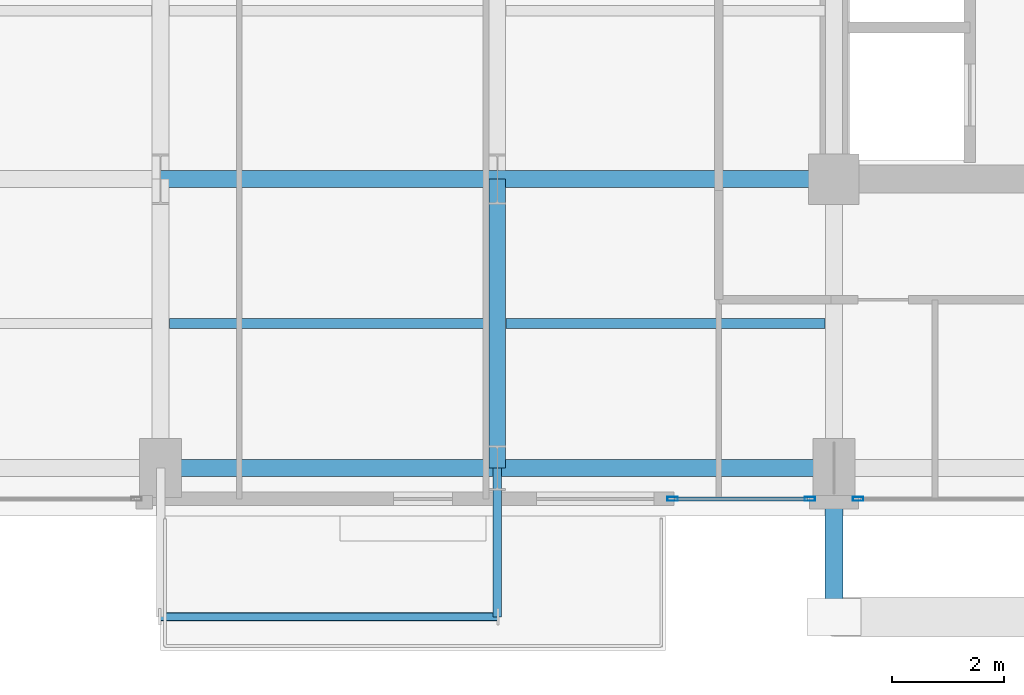
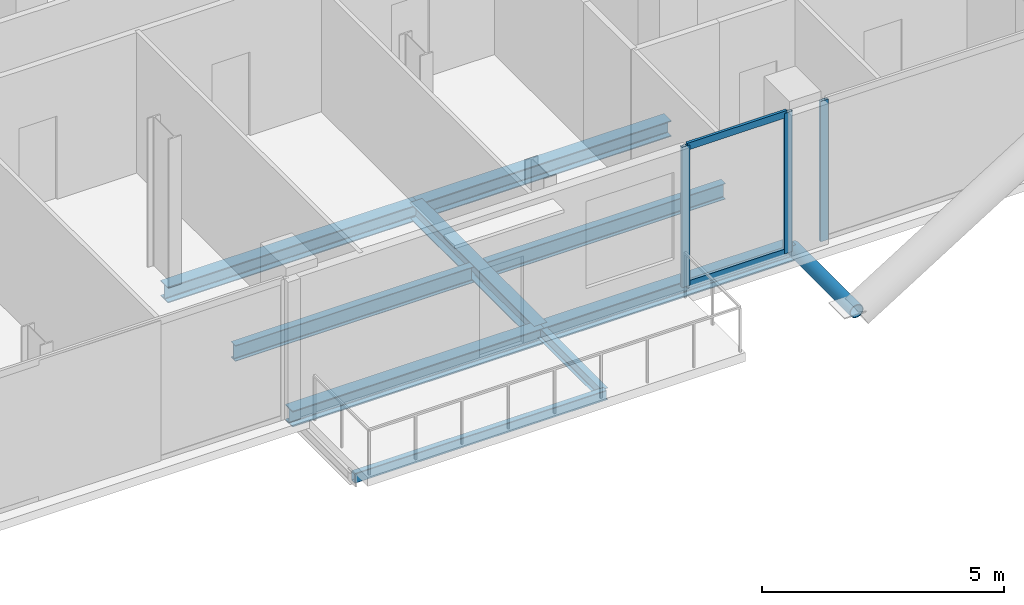
# One storey, part 4 of 22: 9 beams, 6 members, 2 elements without a shape of their own.
"""IFC4 building model written with IfcOpenShell, lengths in metres."""

from ifc_helpers import new_model, si_unit, direction, frame, origin, origin_2d, place, context, subcontext, project, spatial, hollow_rectangle, hollow_circle, i_section, extrude, material, layer, layer_set, material_profile, profile_set, type_object, element, aggregate, save


model = new_model("IFC4")

# Units and contexts
model_context = context("Model", 3, precision=1e-05, world=origin(), true_north=direction((0.0, 1.0)))
body_context = subcontext(model_context, "Body", "Model", "MODEL_VIEW")
ifc_project = project(units=[si_unit("LENGTHUNIT", "METRE"), si_unit("AREAUNIT", "SQUARE_METRE"), si_unit("VOLUMEUNIT", "CUBIC_METRE"), si_unit("PLANEANGLEUNIT", "RADIAN"), si_unit("MASSUNIT", "GRAM", prefix="KILO"), si_unit("THERMODYNAMICTEMPERATUREUNIT", "KELVIN"), si_unit("POWERUNIT", "WATT")], contexts=[model_context])

# Site, building, storey
site_placement = place(None, origin())
site = spatial("IfcSite", under=ifc_project, at=site_placement, CompositionType="ELEMENT")
building_placement = place(site_placement, origin())
building = spatial("IfcBuilding", under=site, at=building_placement, Name="Svarakhadi Broadcast Tower", CompositionType="ELEMENT")
storey_placement = place(building_placement, frame((0.0, 0.0, 191.699951171875)))
storey = spatial("IfcBuildingStorey", under=building, at=storey_placement, Name="L47", CompositionType="ELEMENT", Elevation=191.699951171875)

# Beams
ifc_material_1 = material(Name="Steel S355J2 (IS 2062 E350C)", Category="steel")
ifc_material_profile_1 = material_profile(ifc_material_1, i_section(OverallWidth=0.179931640625, OverallDepth=0.39990234375, WebThickness=0.008544921875, FlangeThickness=0.013427734375, FilletRadius=0.02099609375, at=origin_2d()), Name="NPB 400x180x66")
ifc_profile_set_1 = profile_set([ifc_material_profile_1], Name="Steel S355J2 (IS 2062 E350C)")
beam_type_1 = type_object("IfcBeamType", Name="Beam_NPB400", PredefinedType="BEAM", material=ifc_profile_set_1)
for number, where, z_axis, x_axis, name in (
    (1, (12.159912109375, 3.425048828125, -0.409912109375), (1.0, 0.0, 0.0), (0.0, 1.0, 0.0), "L47 Secondary Composite Beam SB009"),
    (2, (18.159912109375, 3.425048828125, -0.409912109375), (1.0, 0.0, 0.0), (0.0, 1.0, 0.0), "L47 Secondary Composite Beam SB013"),
):
    element("IfcBeam", number, at=place(storey_placement, frame(where, z_axis=z_axis, x_axis=x_axis)), inside=storey, type_object=beam_type_1, Name=name, PredefinedType="BEAM", context=body_context, shape_type="SweptSolid", body=[
        extrude(i_section(OverallWidth=0.179931640625, OverallDepth=0.39990234375, WebThickness=0.008544921875, FlangeThickness=0.013427734375, FilletRadius=0.02099609375, at=origin_2d()), origin(), (0.0, 0.0, 1.0), 5.68017578125),
    ])

# Curtain wall, member
ifc_material_2 = material(Name="Anodised Bronze Aluminium AA 6063-T6", Category="aluminium")
ifc_layer = layer(ifc_material_2, 0.18994140625)
ifc_layer_set = layer_set([ifc_layer], Name="Anodised Bronze Aluminium AA 6063-T6")
curtain_wall_type = type_object("IfcCurtainWallType", Name="CW_Sys_04", PredefinedType="NOTDEFINED", material=ifc_layer_set)
curtain_wall_1_placement = place(storey_placement, origin())
curtain_wall_1 = element("IfcCurtainWall", 3, at=curtain_wall_1_placement, inside=storey, type_object=curtain_wall_type, Name="L47 South Curtain Wall 15 Bay 3", PredefinedType="NOTDEFINED")
ifc_material_profile_2 = material_profile(ifc_material_2, hollow_rectangle(XDim=0.070068359375, YDim=0.18994140625, WallThickness=0.005615234375, at=origin_2d()), Name="ALU MULLION 190x70x6")
ifc_profile_set_2 = profile_set([ifc_material_profile_2], Name="Anodised Bronze Aluminium AA 6063-T6")
member_type_1 = type_object("IfcMemberType", Name="CW_Sys_04_Mul", PredefinedType="MULLION", material=ifc_profile_set_2)
member_1_placement = place(storey_placement, frame((24.429931640625, 0.300048828125, 0.0), z_axis=(0.0, 0.0, 1.0), x_axis=(0.0, -1.0, 0.0)))
member_1 = element("IfcMember", 4, at=member_1_placement, type_object=member_type_1, Name="CW-04 mullion 2", PredefinedType="MULLION", context=body_context, shape_type="SweptSolid", body=[
    extrude(hollow_rectangle(XDim=0.070068359375, YDim=0.18994140625, WallThickness=0.005615234375, at=origin_2d()), origin(), (0.0, 0.0, 1.0), 3.5400390625),
])
aggregate(curtain_wall_1, [member_1])

# Curtain wall, members
curtain_wall_2_placement = place(storey_placement, origin())
curtain_wall_2 = element("IfcCurtainWall", 5, at=curtain_wall_2_placement, inside=storey, type_object=curtain_wall_type, Name="L47 South Curtain Wall 15 Bay 4", PredefinedType="NOTDEFINED")
member_2_placement = place(storey_placement, frame((23.570068359375, 0.300048828125, 0.0), z_axis=(0.0, 0.0, 1.0), x_axis=(0.0, -1.0, 0.0)))
member_2 = element("IfcMember", 6, at=member_2_placement, type_object=member_type_1, Name="CW-04 mullion 1", PredefinedType="MULLION", context=body_context, shape_type="SweptSolid", body=[
    extrude(hollow_rectangle(XDim=0.070068359375, YDim=0.18994140625, WallThickness=0.005615234375, at=origin_2d()), origin(), (0.0, 0.0, 1.0), 3.5400390625),
])
member_3_placement = place(storey_placement, frame((21.125, 0.300048828125, 0.0), z_axis=(0.0, 0.0, 1.0), x_axis=(0.0, -1.0, 0.0)))
member_3 = element("IfcMember", 7, at=member_3_placement, type_object=member_type_1, Name="CW-04 mullion 2", PredefinedType="MULLION", context=body_context, shape_type="SweptSolid", body=[
    extrude(hollow_rectangle(XDim=0.070068359375, YDim=0.18994140625, WallThickness=0.005615234375, at=origin_2d()), origin(), (0.0, 0.0, 1.0), 3.5400390625),
])
ifc_material_profile_3 = material_profile(ifc_material_2, hollow_rectangle(XDim=0.06494140625, YDim=0.175048828125, WallThickness=0.0048828125, at=origin_2d()), Name="ALU TRANSOM 175x65x5")
ifc_profile_set_3 = profile_set([ifc_material_profile_3], Name="Anodised Bronze Aluminium AA 6063-T6")
member_type_2 = type_object("IfcMemberType", Name="CW_Sys_04_Trn", PredefinedType="USERDEFINED", material=ifc_profile_set_3)
member_4_placement = place(storey_placement, frame((23.534912109375, 0.300048828125, 0.032470703125), z_axis=(-1.0, 0.0, 0.0), x_axis=(0.0, -1.0, 0.0)))
member_4 = element("IfcMember", 8, at=member_4_placement, type_object=member_type_2, Name="CW-04 transom 1.1", ObjectType="TRANSOM", PredefinedType="USERDEFINED", context=body_context, shape_type="SweptSolid", body=[
    extrude(hollow_rectangle(XDim=0.06494140625, YDim=0.175048828125, WallThickness=0.0048828125, at=origin_2d()), origin(), (0.0, 0.0, 1.0), 2.375),
])
member_5_placement = place(storey_placement, frame((23.534912109375, 0.300048828125, 3.507568359375), z_axis=(-1.0, 0.0, 0.0), x_axis=(0.0, -1.0, 0.0)))
member_5 = element("IfcMember", 9, at=member_5_placement, type_object=member_type_2, Name="CW-04 transom 1.2", ObjectType="TRANSOM", PredefinedType="USERDEFINED", context=body_context, shape_type="SweptSolid", body=[
    extrude(hollow_rectangle(XDim=0.06494140625, YDim=0.175048828125, WallThickness=0.0048828125, at=origin_2d()), origin(), (0.0, 0.0, 1.0), 2.375),
])
aggregate(curtain_wall_2, [member_2, member_3, member_4, member_5])

# Member
ifc_material_3 = material(Name="Steel S460ML (IS 2062 E450BR)", Category="steel")
ifc_material_profile_4 = material_profile(ifc_material_3, hollow_circle(Radius=0.161865234375, WallThickness=0.01611328125, at=origin_2d()), Name="CHS 323.9x16")
ifc_profile_set_4 = profile_set([ifc_material_profile_4], Name="Steel S460ML (IS 2062 E450BR)")
member_type_3 = type_object("IfcMemberType", Name="Exo_Radial_Strut_Z2", PredefinedType="STRUT", material=ifc_profile_set_4)
member_6_placement = place(storey_placement, frame((24.0, -1.800048828125, -0.371826171875), z_axis=(0.0, 1.0, 0.0), x_axis=(-1.0, 0.0, 0.0)))
element("IfcMember", 10, at=member_6_placement, inside=storey, type_object=member_type_3, Name="L47 Exoskeleton Radial Tie Strut S01", PredefinedType="STRUT", context=body_context, shape_type="SweptSolid", body=[
    extrude(hollow_circle(Radius=0.161865234375, WallThickness=0.01611328125, at=origin_2d()), origin(), (0.0, 0.0, 1.0), 2.650146484375),
])

# Beams
ifc_material_profile_5 = material_profile(ifc_material_1, i_section(OverallWidth=0.300048828125, OverallDepth=0.39990234375, WebThickness=0.013427734375, FlangeThickness=0.02392578125, FilletRadius=0.027099609375, at=origin_2d()), Name="WPB 400x300x155")
ifc_profile_set_5 = profile_set([ifc_material_profile_5], Name="Steel S355J2 (IS 2062 E350C)")
beam_type_2 = type_object("IfcBeamType", Name="Girder_WPB400", PredefinedType="USERDEFINED", material=ifc_profile_set_5)
for number, where, z_axis, x_axis, name in (
    (11, (12.0, 0.85009765625, -0.409912109375), (1.0, 0.0, 0.0), (0.0, 1.0, 0.0), "L47 Primary E-W Girder G005"),
    (12, (18.0, 0.85009765625, -0.409912109375), (1.0, 0.0, 0.0), (0.0, 1.0, 0.0), "L47 Primary E-W Girder G006"),
    (13, (12.0, 6.0, -0.409912109375), (1.0, 0.0, 0.0), (0.0, 1.0, 0.0), "L47 Primary E-W Girder G011"),
    (14, (18.0, 6.0, -0.409912109375), (1.0, 0.0, 0.0), (0.0, 1.0, 0.0), "L47 Primary E-W Girder G012"),
):
    element("IfcBeam", number, at=place(storey_placement, frame(where, z_axis=z_axis, x_axis=x_axis)), inside=storey, type_object=beam_type_2, Name=name, ObjectType="GIRDER", PredefinedType="USERDEFINED", context=body_context, shape_type="SweptSolid", body=[
        extrude(i_section(OverallWidth=0.300048828125, OverallDepth=0.39990234375, WebThickness=0.013427734375, FlangeThickness=0.02392578125, FilletRadius=0.027099609375, at=origin_2d()), origin(), (0.0, 0.0, 1.0), 6.0),
    ])
beam_1_placement = place(storey_placement, frame((18.0, 0.85009765625, -0.409912109375), z_axis=(0.0, 1.0, 0.0), x_axis=(-1.0, 0.0, 0.0)))
element("IfcBeam", 15, at=beam_1_placement, inside=storey, type_object=beam_type_2, Name="L47 Primary N-S Girder G046", ObjectType="GIRDER", PredefinedType="USERDEFINED", context=body_context, shape_type="SweptSolid", body=[
    extrude(i_section(OverallWidth=0.300048828125, OverallDepth=0.39990234375, WebThickness=0.013427734375, FlangeThickness=0.02392578125, FilletRadius=0.027099609375, at=origin_2d()), origin(), (0.0, 0.0, 1.0), 5.14990234375),
])
ifc_material_profile_6 = material_profile(ifc_material_1, i_section(OverallWidth=0.14990234375, OverallDepth=0.300048828125, WebThickness=0.007080078125, FlangeThickness=0.0107421875, FilletRadius=0.014892578125, at=origin_2d()), Name="NPB 300x150x37")
ifc_profile_set_6 = profile_set([ifc_material_profile_6], Name="Steel S355J2 (IS 2062 E350C)")
beam_type_3 = type_object("IfcBeamType", Name="Spandrel_NPB300", PredefinedType="SPANDREL", material=ifc_profile_set_6)
beam_2_placement = place(storey_placement, frame((18.0, 0.85009765625, -0.375), z_axis=(0.0, -1.0, 0.0), x_axis=(1.0, 0.0, 0.0)))
element("IfcBeam", 16, at=beam_2_placement, inside=storey, type_object=beam_type_3, Name="L47 Balcony Cantilever Bracket 1B", PredefinedType="SPANDREL", context=body_context, shape_type="SweptSolid", body=[
    extrude(i_section(OverallWidth=0.14990234375, OverallDepth=0.300048828125, WebThickness=0.007080078125, FlangeThickness=0.0107421875, FilletRadius=0.014892578125, at=origin_2d()), origin(), (0.0, 0.0, 1.0), 2.650146484375),
])
ifc_material_profile_7 = material_profile(ifc_material_3, hollow_rectangle(XDim=0.14990234375, YDim=0.25, WallThickness=0.010009765625, InnerFilletRadius=0.010009765625, OuterFilletRadius=0.02001953125, at=origin_2d()), Name="RHS 250x150x10")
ifc_profile_set_7 = profile_set([ifc_material_profile_7], Name="Steel S460ML (IS 2062 E450BR)")
beam_type_4 = type_object("IfcBeamType", Name="Spandrel_RHS250", PredefinedType="SPANDREL", material=ifc_profile_set_7)
beam_3_placement = place(storey_placement, frame((12.0, -1.800048828125, -0.349853515625), z_axis=(1.0, 0.0, 0.0), x_axis=(0.0, 1.0, 0.0)))
element("IfcBeam", 17, at=beam_3_placement, inside=storey, type_object=beam_type_4, Name="L47 Balcony Outer Spandrel 1F", PredefinedType="SPANDREL", context=body_context, shape_type="SweptSolid", body=[
    extrude(hollow_rectangle(XDim=0.14990234375, YDim=0.25, WallThickness=0.010009765625, InnerFilletRadius=0.010009765625, OuterFilletRadius=0.02001953125, at=origin_2d()), origin(), (0.0, 0.0, 1.0), 6.0),
])

save(model, "model.ifc")
